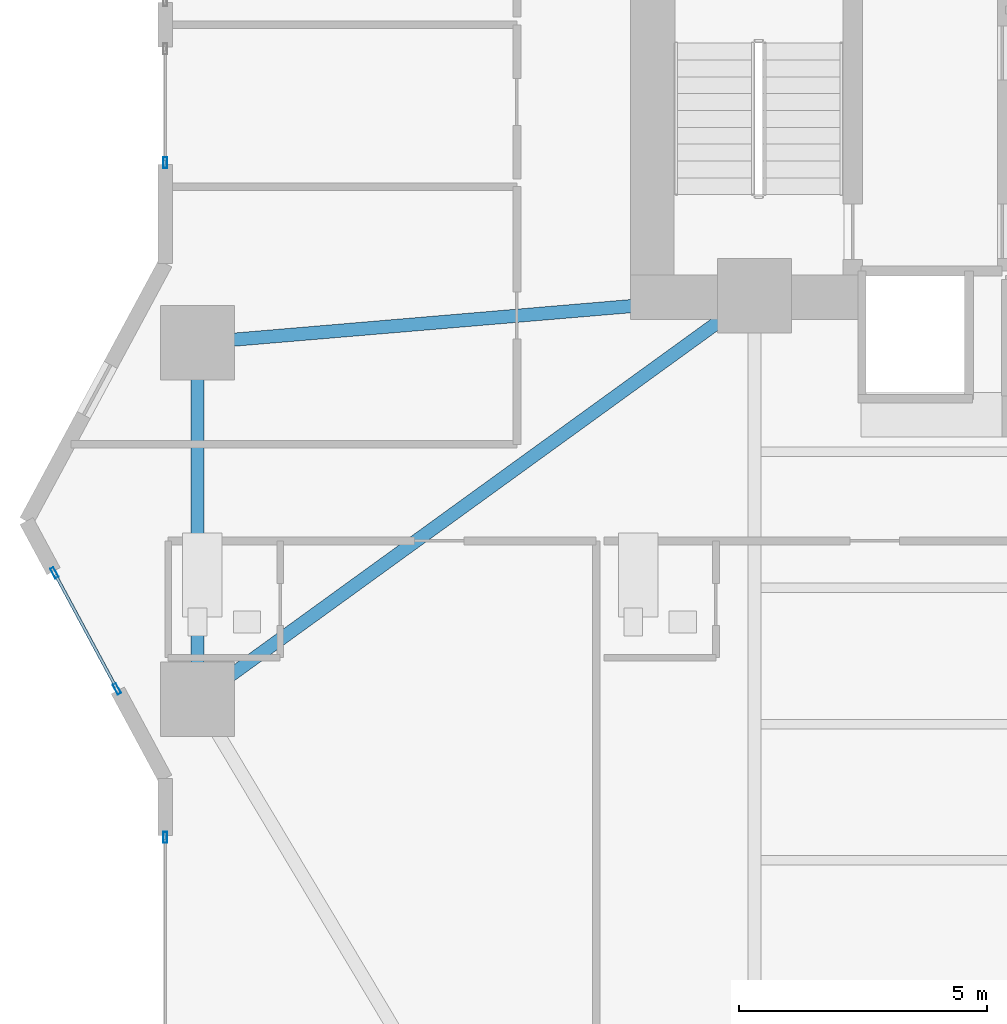
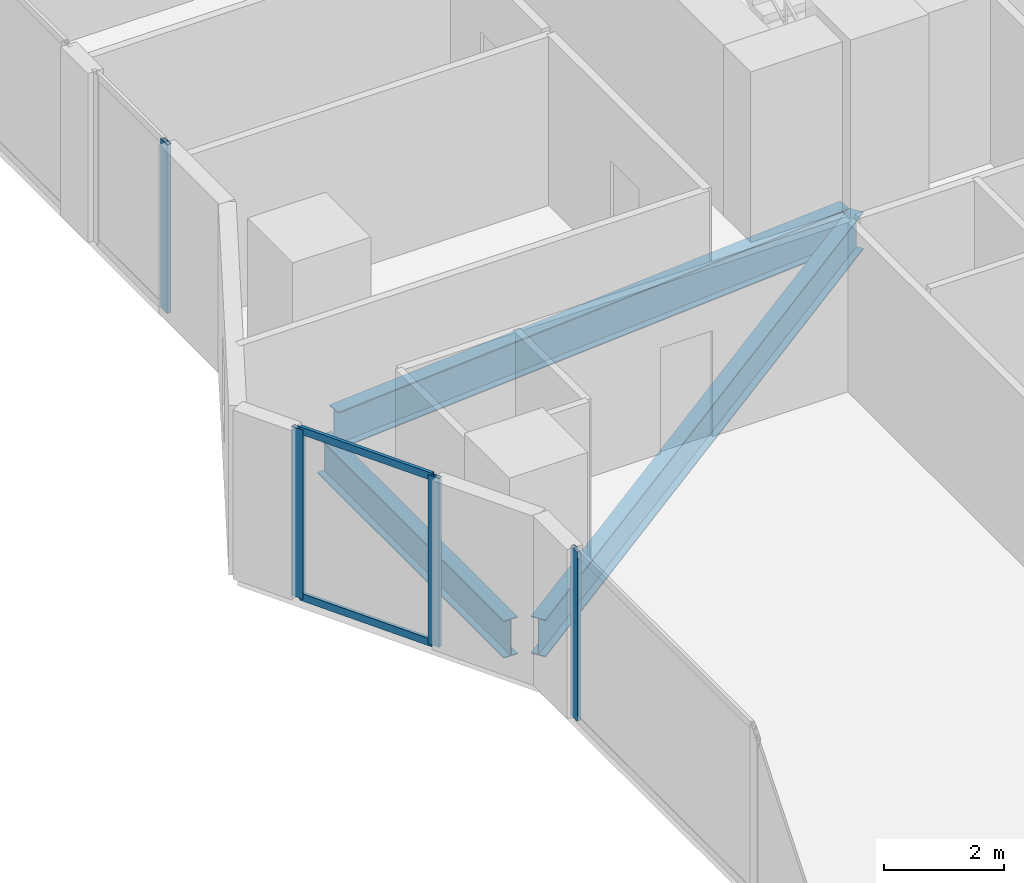
# One storey, part 6 of 29: 6 members, 3 beams, 3 elements without a shape of their own.
"""IFC4 building model written with IfcOpenShell, lengths in metres."""

from ifc_helpers import new_model, si_unit, direction, frame, origin, origin_2d, place, context, subcontext, project, spatial, hollow_rectangle, i_section, extrude, material, layer, layer_set, material_profile, profile_set, type_object, element, aggregate, save


model = new_model("IFC4")

# Units and contexts
model_context = context("Model", 3, precision=1e-05, world=origin(), true_north=direction((0.0, 1.0)))
body_context = subcontext(model_context, "Body", "Model", "MODEL_VIEW")
ifc_project = project(units=[si_unit("LENGTHUNIT", "METRE"), si_unit("AREAUNIT", "SQUARE_METRE"), si_unit("VOLUMEUNIT", "CUBIC_METRE"), si_unit("PLANEANGLEUNIT", "RADIAN"), si_unit("MASSUNIT", "GRAM", prefix="KILO")], contexts=[model_context])

# Site, building, storey
site_placement = place(None, origin())
site = spatial("IfcSite", under=ifc_project, at=site_placement, CompositionType="ELEMENT")
building_placement = place(site_placement, origin())
building = spatial("IfcBuilding", under=site, at=building_placement, Name="Zuhayl Quay Hotel", CompositionType="ELEMENT")
storey_placement = place(building_placement, frame((0.0, 0.0, 42.199951171875)))
storey = spatial("IfcBuildingStorey", under=building, at=storey_placement, Name="L09", CompositionType="ELEMENT", Elevation=42.199951171875)

# Beams
ifc_material_1 = material(Name="Steel ASTM A992 Grade 50", Category="steel")
ifc_material_profile_1 = material_profile(ifc_material_1, i_section(OverallWidth=0.26708984375, OverallDepth=0.761962890625, WebThickness=0.014404296875, FlangeThickness=0.021484375, at=origin_2d()), Name="W30X116")
ifc_profile_set_1 = profile_set([ifc_material_profile_1], Name="Steel ASTM A992 Grade 50")
beam_type = type_object("IfcBeamType", Name="BM_B1_W30X116", PredefinedType="BEAM", material=ifc_profile_set_1)
beam_1_placement = place(storey_placement, frame((-25.050048828125, 3.10009765625, -0.600830078125), z_axis=(0.0, -1.0, 0.0), x_axis=(1.0, 0.0, 0.0)))
element("IfcBeam", 1, at=beam_1_placement, inside=storey, type_object=beam_type, Name="L09 Floor Beam RG_L09_11", PredefinedType="BEAM", context=body_context, shape_type="SweptSolid", body=[
    extrude(i_section(OverallWidth=0.26708984375, OverallDepth=0.761962890625, WebThickness=0.014404296875, FlangeThickness=0.021484375, at=origin_2d()), origin(), (0.0, 0.0, 1.0), 6.2001953125),
])
beam_2_placement = place(storey_placement, frame((-24.64501953125, -3.306640625, -0.600830078125), z_axis=(0.809830244688, 0.586664277751, 0.0), x_axis=(-0.586664277751, 0.809830244688, 0.0)))
element("IfcBeam", 2, at=beam_2_placement, inside=storey, type_object=beam_type, Name="L09 Floor Beam FG_W_L09_1", PredefinedType="BEAM", context=body_context, shape_type="SweptSolid", body=[
    extrude(i_section(OverallWidth=0.26708984375, OverallDepth=0.761962890625, WebThickness=0.014404296875, FlangeThickness=0.021484375, at=origin_2d()), origin(), (0.0, 0.0, 1.0), 12.94189453125),
])
beam_3_placement = place(storey_placement, frame((-24.5517578125, 3.64208984375, -0.600830078125), z_axis=(0.996453145398, 0.084149444594, 0.0), x_axis=(-0.084149444594, 0.996453145398, 0.0)))
element("IfcBeam", 3, at=beam_3_placement, inside=storey, type_object=beam_type, Name="L09 Floor Beam FG_W_L09_2", PredefinedType="BEAM", context=body_context, shape_type="SweptSolid", body=[
    extrude(i_section(OverallWidth=0.26708984375, OverallDepth=0.761962890625, WebThickness=0.014404296875, FlangeThickness=0.021484375, at=origin_2d()), origin(), (0.0, 0.0, 1.0), 10.340087890625),
])

# Curtain wall, member
ifc_material_2 = material(Name="Anodised Aluminium 6063-T6", Category="aluminium")
ifc_layer = layer(ifc_material_2, 0.18994140625, Name="Anodised Aluminium 6063-T6", Category="aluminium")
ifc_layer_set = layer_set([ifc_layer], Name="Anodised Aluminium 6063-T6")
curtain_wall_type = type_object("IfcCurtainWallType", Name="CW_SYS_Z1", PredefinedType="USERDEFINED", material=ifc_layer_set)
curtain_wall_1_placement = place(storey_placement, origin())
curtain_wall_1 = element("IfcCurtainWall", 4, at=curtain_wall_1_placement, inside=storey, type_object=curtain_wall_type, Name="L09 Curtain Wall ENV_L09_E02_CW1", ObjectType="UNITISED CURTAIN WALL", PredefinedType="USERDEFINED")
ifc_material_3 = material(Name="Black-anodised aluminium 6063-T6", Category="aluminium")
ifc_material_profile_2 = material_profile(ifc_material_3, hollow_rectangle(XDim=0.074951171875, YDim=0.219970703125, WallThickness=0.00390625, at=origin_2d()), Name="ALU220X75")
ifc_profile_set_2 = profile_set([ifc_material_profile_2], Name="Black-anodised aluminium 6063-T6")
member_type_1 = type_object("IfcMemberType", Name="MB_CW_MUL_220", PredefinedType="MULLION", material=ifc_profile_set_2)
member_1_placement = place(storey_placement, frame((-25.699951171875, -6.387451171875, 0.0), z_axis=(0.0, 0.0, 1.0), x_axis=(-1.0, 0.0, 0.0)))
member_1 = element("IfcMember", 5, at=member_1_placement, type_object=member_type_1, Name="CW-Z1 mullion 3", PredefinedType="MULLION", context=body_context, shape_type="SweptSolid", body=[
    extrude(hollow_rectangle(XDim=0.074951171875, YDim=0.219970703125, WallThickness=0.00390625, at=origin_2d()), origin(), (0.0, 0.0, 1.0), 3.429931640625),
])
aggregate(curtain_wall_1, [member_1])

# Curtain wall, members
curtain_wall_2_placement = place(storey_placement, origin())
curtain_wall_2 = element("IfcCurtainWall", 6, at=curtain_wall_2_placement, inside=storey, type_object=curtain_wall_type, Name="L09 Curtain Wall ENV_L09_E03_CW1", ObjectType="UNITISED CURTAIN WALL", PredefinedType="USERDEFINED")
member_2_placement = place(storey_placement, frame((-26.67578125, -3.387939453125, 0.0), z_axis=(0.0, 0.0, 1.0), x_axis=(-0.880475795468, -0.474091102632, 0.0)))
member_2 = element("IfcMember", 7, at=member_2_placement, type_object=member_type_1, Name="CW-Z1 mullion 1", PredefinedType="MULLION", context=body_context, shape_type="SweptSolid", body=[
    extrude(hollow_rectangle(XDim=0.074951171875, YDim=0.219970703125, WallThickness=0.00390625, at=origin_2d()), origin(), (0.0, 0.0, 1.0), 3.429931640625),
])
member_3_placement = place(storey_placement, frame((-27.93701171875, -1.04541015625, 0.0), z_axis=(0.0, 0.0, 1.0), x_axis=(-0.880475795468, -0.474091102632, 0.0)))
member_3 = element("IfcMember", 8, at=member_3_placement, type_object=member_type_1, Name="CW-Z1 mullion 2", PredefinedType="MULLION", context=body_context, shape_type="SweptSolid", body=[
    extrude(hollow_rectangle(XDim=0.074951171875, YDim=0.219970703125, WallThickness=0.00390625, at=origin_2d()), origin(), (0.0, 0.0, 1.0), 3.429931640625),
])

# Curtain wall, member
curtain_wall_3_placement = place(storey_placement, origin())
curtain_wall_3 = element("IfcCurtainWall", 9, at=curtain_wall_3_placement, inside=storey, type_object=curtain_wall_type, Name="L09 Curtain Wall ENV_L09_E05_CW1", ObjectType="UNITISED CURTAIN WALL", PredefinedType="USERDEFINED")
member_4_placement = place(storey_placement, frame((-25.699951171875, 7.237548828125, 0.0), z_axis=(0.0, 0.0, 1.0), x_axis=(-1.0, 0.0, 0.0)))
member_4 = element("IfcMember", 10, at=member_4_placement, type_object=member_type_1, Name="CW-Z1 mullion 1", PredefinedType="MULLION", context=body_context, shape_type="SweptSolid", body=[
    extrude(hollow_rectangle(XDim=0.074951171875, YDim=0.219970703125, WallThickness=0.00390625, at=origin_2d()), origin(), (0.0, 0.0, 1.0), 3.429931640625),
])
aggregate(curtain_wall_3, [member_4])

# Member
ifc_material_profile_3 = material_profile(ifc_material_3, hollow_rectangle(XDim=0.06005859375, YDim=0.14990234375, WallThickness=0.00341796875, at=origin_2d()), Name="ALU150X60")
ifc_profile_set_3 = profile_set([ifc_material_profile_3], Name="Black-anodised aluminium 6063-T6")
member_type_2 = type_object("IfcMemberType", Name="MB_CW_TRN_150", PredefinedType="USERDEFINED", material=ifc_profile_set_3)
member_5_placement = place(storey_placement, frame((-26.693603515625, -3.35498046875, 0.030029296875), z_axis=(-0.474054771703, 0.880495356845, 0.0), x_axis=(-0.880495356845, -0.474054771703, 0.0)))
member_5 = element("IfcMember", 11, at=member_5_placement, type_object=member_type_2, Name="CW-Z1 transom 1.1", ObjectType="TRANSOM", PredefinedType="USERDEFINED", context=body_context, shape_type="SweptSolid", body=[
    extrude(hollow_rectangle(XDim=0.06005859375, YDim=0.14990234375, WallThickness=0.00341796875, at=origin_2d()), origin(), (0.0, 0.0, 1.0), 2.585205078125),
])

member_6_placement = place(storey_placement, frame((-26.693603515625, -3.35498046875, 3.400146484375), z_axis=(-0.474054771703, 0.880495356845, 0.0), x_axis=(-0.880495356845, -0.474054771703, 0.0)))
member_6 = element("IfcMember", 12, at=member_6_placement, type_object=member_type_2, Name="CW-Z1 transom 1.2", ObjectType="TRANSOM", PredefinedType="USERDEFINED", context=body_context, shape_type="SweptSolid", body=[
    extrude(hollow_rectangle(XDim=0.06005859375, YDim=0.14990234375, WallThickness=0.00341796875, at=origin_2d()), origin(), (0.0, 0.0, 1.0), 2.585205078125),
])

aggregate(curtain_wall_2, [member_2, member_3, member_5, member_6])

save(model, "model.ifc")
